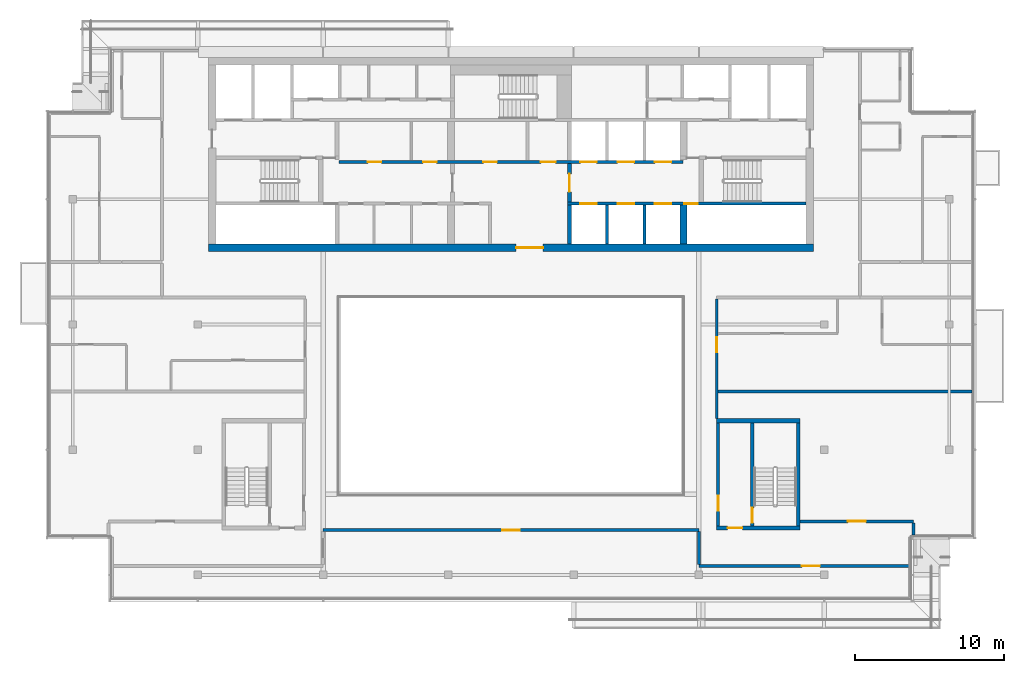
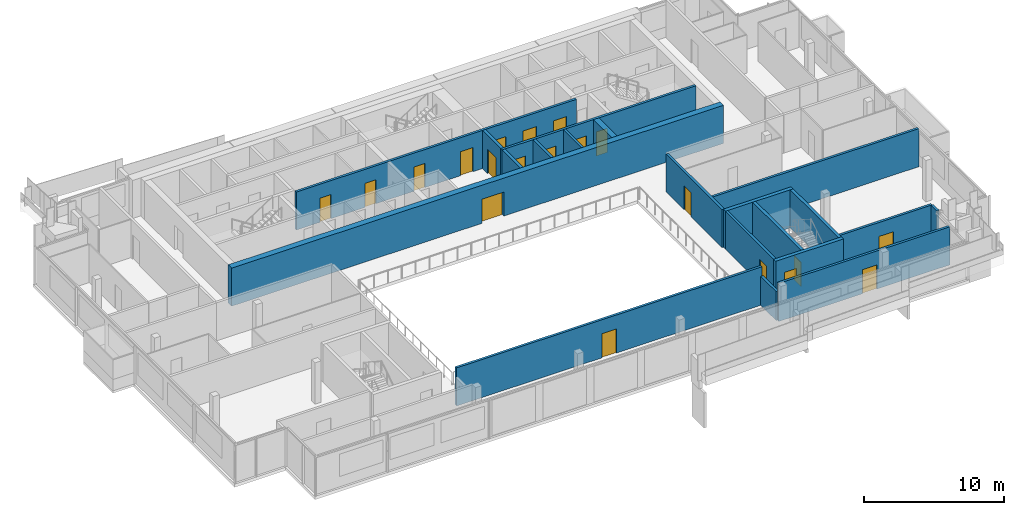
# One storey, part 12 of 21: 20 doors, 20 walls, 20 openings.
"""IFC4 building model written with IfcOpenShell, lengths in metres."""

from ifc_helpers import new_model, si_unit, direction, frame, frame_2d, origin, place, context, subcontext, project, spatial, rectangle, extrude, material, layer, layer_set, type_object, element, fill, save


model = new_model("IFC4")

# Units and contexts
model_context = context("Model", 3, precision=1e-05, world=origin(), true_north=direction((0.0, 1.0)))
body_context = subcontext(model_context, "Body", "Model", "MODEL_VIEW")
ifc_project = project(units=[si_unit("LENGTHUNIT", "METRE"), si_unit("AREAUNIT", "SQUARE_METRE"), si_unit("VOLUMEUNIT", "CUBIC_METRE"), si_unit("PLANEANGLEUNIT", "RADIAN"), si_unit("MASSUNIT", "GRAM", prefix="KILO")], contexts=[model_context])

# Site, building, storey
site_placement = place(None, origin())
site = spatial("IfcSite", under=ifc_project, at=site_placement, CompositionType="ELEMENT")
building_placement = place(site_placement, origin())
building = spatial("IfcBuilding", under=site, at=building_placement, Name="Saffron Gate Tower", CompositionType="ELEMENT")
storey_placement = place(building_placement, frame((0.0, 0.0, 288.75)))
storey = spatial("IfcBuildingStorey", under=building, at=storey_placement, Name="L70", CompositionType="ELEMENT", Elevation=288.75)

# Wall, opening, door
ifc_material_1 = material(Name="Gypsum board partition on steel studs", Category="steel")
ifc_layer_1 = layer(ifc_material_1, 0.199951171875)
ifc_layer_set_1 = layer_set([ifc_layer_1], Name="CW10 Core partition 200")
wall_type_1 = type_object("IfcWallType", Name="CW10 Core partition 200", PredefinedType="PARTITIONING", material=ifc_layer_set_1)
wall_1_placement = place(storey_placement, frame((101.5, 43.5, 0.0), z_axis=(0.0, 0.0, 1.0), x_axis=(0.0, 1.0, 0.0)))
wall_1 = element("IfcWall", 1, at=wall_1_placement, inside=storey, type_object=wall_type_1, Name="Wall CW10-L70-E-2", PredefinedType="PARTITIONING", context=body_context, shape_type="SweptSolid", body=[
    extrude(rectangle(XDim=6.89990234375, YDim=0.199951171875, at=frame_2d((3.449951171875, 0.0))), origin(), (0.0, 0.0, 1.0), 3.320068359375),
])
opening_1_placement = place(wall_1_placement, frame((1.0, 0.0, 0.0)))
opening_1 = element("IfcOpeningElement", 2, at=opening_1_placement, cuts=wall_1, Name="Opening CR-22", PredefinedType="OPENING", context=body_context, shape_type="SweptSolid", body=[
    extrude(rectangle(XDim=1.0, YDim=2.10009765625, at=frame_2d((0.5, 1.050048828125))), frame((0.0, 0.10986328125, 0.0), z_axis=(0.0, -1.0, 0.0), x_axis=(1.0, 0.0, 0.0)), (0.0, 0.0, 1.0), 0.219970703125),
])
ifc_material_2 = material(Name="Steel fire door set", Category="steel")
door_type_1 = type_object("IfcDoorType", Name="CD4 Lobby door 1000x2100 EI 120", OperationType="NOTDEFINED", PredefinedType="DOOR", material=ifc_material_2)
door_1_placement = place(opening_1_placement, origin())
door_1 = element("IfcDoor", 3, at=door_1_placement, inside=storey, type_object=door_type_1, Name="DOOR CR-22", OperationType="SINGLE_SWING_LEFT", OverallHeight=2.10009765625, OverallWidth=1.0, PredefinedType="DOOR", context=body_context, shape_type="SweptSolid", body=[
    extrude(rectangle(XDim=1.0, YDim=2.10009765625, at=frame_2d((0.5, 1.050048828125))), frame((0.0, 0.02490234375, 0.0), z_axis=(0.0, -1.0, 0.0), x_axis=(1.0, 0.0, 0.0)), (0.0, 0.0, 1.0), 0.050048828125),
])
fill(opening_1, door_1)

ifc_material_3 = material(Name="Concrete C50", Category="concrete")
ifc_layer_2 = layer(ifc_material_3, 0.5)
ifc_layer_set_2 = layer_set([ifc_layer_2], Name="CW22 RC core wall 500 C50")
wall_type_2 = type_object("IfcWallType", Name="CW22 RC core wall 500 C50", PredefinedType="SOLIDWALL", material=ifc_layer_set_2)
wall_2_placement = place(storey_placement, frame((67.300048828125, 62.14990234375, 0.0), z_axis=(0.0, 0.0, 1.0), x_axis=(1.0, 0.0, 0.0)))
wall_2 = element("IfcWall", 4, at=wall_2_placement, inside=storey, type_object=wall_type_2, Name="Wall CW22-L70-1", PredefinedType="SOLIDWALL", context=body_context, shape_type="SweptSolid", body=[
    extrude(rectangle(XDim=40.599853515625, YDim=0.5, at=frame_2d((20.2998046875, 0.0))), origin(), (0.0, 0.0, 1.0), 3.320068359375),
])
opening_2_placement = place(wall_2_placement, frame((20.64990234375, 0.0, 0.0)))
opening_2 = element("IfcOpeningElement", 5, at=opening_2_placement, cuts=wall_2, Name="Opening CR-09", PredefinedType="OPENING", context=body_context, shape_type="SweptSolid", body=[
    extrude(rectangle(XDim=1.800048828125, YDim=2.10009765625, at=frame_2d((0.89990234375, 1.050048828125))), frame((0.0, 0.260009765625, 0.0), z_axis=(0.0, -1.0, 0.0), x_axis=(1.0, 0.0, 0.0)), (0.0, 0.0, 1.0), 0.52001953125),
])
door_type_2 = type_object("IfcDoorType", Name="CD1 Core entrance door 1800x2100 EI 120", OperationType="NOTDEFINED", PredefinedType="DOOR", material=ifc_material_2)
door_2_placement = place(opening_2_placement, origin())
door_2 = element("IfcDoor", 6, at=door_2_placement, inside=storey, type_object=door_type_2, Name="DOOR CR-09", OperationType="DOUBLE_DOOR_SINGLE_SWING", OverallHeight=2.10009765625, OverallWidth=1.800048828125, PredefinedType="DOOR", context=body_context, shape_type="SweptSolid", body=[
    extrude(rectangle(XDim=1.800048828125, YDim=2.10009765625, at=frame_2d((0.89990234375, 1.050048828125))), frame((0.0, 0.02490234375, 0.0), z_axis=(0.0, -1.0, 0.0), x_axis=(1.0, 0.0, 0.0)), (0.0, 0.0, 1.0), 0.050048828125),
])
fill(opening_2, door_2)

# Wall
ifc_layer_3 = layer(ifc_material_3, 0.25)
ifc_layer_set_3 = layer_set([ifc_layer_3], Name="CW23 RC core wall 250 C50")
wall_type_3 = type_object("IfcWallType", Name="CW23 RC core wall 250 C50", PredefinedType="SOLIDWALL", material=ifc_layer_set_3)
wall_3_placement = place(storey_placement, frame((91.52490234375, 62.39990234375, 0.0), z_axis=(0.0, 0.0, 1.0), x_axis=(0.0, 1.0, 0.0)))
element("IfcWall", 7, at=wall_3_placement, inside=storey, type_object=wall_type_3, Name="Wall CW23-L70-10", PredefinedType="SOLIDWALL", context=body_context, shape_type="SweptSolid", body=[
    extrude(rectangle(XDim=2.60009765625, YDim=0.25, at=frame_2d((1.300048828125, 0.0))), origin(), (0.0, 0.0, 1.0), 3.320068359375),
])

# Wall, opening, door
wall_4_placement = place(storey_placement, frame((91.52490234375, 65.199951171875, 0.0), z_axis=(0.0, 0.0, 1.0), x_axis=(0.0, 1.0, 0.0)))
wall_4 = element("IfcWall", 8, at=wall_4_placement, inside=storey, type_object=wall_type_3, Name="Wall CW23-L70-18", PredefinedType="SOLIDWALL", context=body_context, shape_type="SweptSolid", body=[
    extrude(rectangle(XDim=2.60009765625, YDim=0.25, at=frame_2d((1.300048828125, 0.0))), origin(), (0.0, 0.0, 1.0), 3.320068359375),
])
opening_3_placement = place(wall_4_placement, frame((0.699951171875, 0.0, 0.0)))
opening_3 = element("IfcOpeningElement", 9, at=opening_3_placement, cuts=wall_4, Name="Opening CR-01", PredefinedType="OPENING", context=body_context, shape_type="SweptSolid", body=[
    extrude(rectangle(XDim=1.199951171875, YDim=2.10009765625, at=frame_2d((0.60009765625, 1.050048828125))), frame((0.0, 0.135009765625, 0.0), z_axis=(0.0, -1.0, 0.0), x_axis=(1.0, 0.0, 0.0)), (0.0, 0.0, 1.0), 0.27001953125),
])
door_type_3 = type_object("IfcDoorType", Name="CD3 Lobby door 1200x2100 EI 120", OperationType="NOTDEFINED", PredefinedType="DOOR", material=ifc_material_2)
door_3_placement = place(opening_3_placement, origin())
door_3 = element("IfcDoor", 10, at=door_3_placement, inside=storey, type_object=door_type_3, Name="DOOR CR-01", OperationType="SINGLE_SWING_RIGHT", OverallHeight=2.10009765625, OverallWidth=1.199951171875, PredefinedType="DOOR", context=body_context, shape_type="SweptSolid", body=[
    extrude(rectangle(XDim=1.199951171875, YDim=2.10009765625, at=frame_2d((0.60009765625, 1.050048828125))), frame((0.0, 0.02490234375, 0.0), z_axis=(0.0, -1.0, 0.0), x_axis=(1.0, 0.0, 0.0)), (0.0, 0.0, 1.0), 0.050048828125),
])
fill(opening_3, door_3)

wall_5_placement = place(storey_placement, frame((103.77490234375, 43.5, 0.0), z_axis=(0.0, 0.0, 1.0), x_axis=(0.0, 1.0, 0.0)))
wall_5 = element("IfcWall", 11, at=wall_5_placement, inside=storey, type_object=wall_type_3, Name="Wall CW23-L70-E-3", PredefinedType="SOLIDWALL", context=body_context, shape_type="SweptSolid", body=[
    extrude(rectangle(XDim=6.89990234375, YDim=0.25, at=frame_2d((3.449951171875, 0.0))), origin(), (0.0, 0.0, 1.0), 3.320068359375),
])
opening_4_placement = place(wall_5_placement, frame((0.199951171875, 0.0, 0.0)))
opening_4 = element("IfcOpeningElement", 12, at=opening_4_placement, cuts=wall_5, Name="Opening CR-23", PredefinedType="OPENING", context=body_context, shape_type="SweptSolid", body=[
    extrude(rectangle(XDim=1.0, YDim=2.10009765625, at=frame_2d((0.5, 1.050048828125))), frame((0.0, 0.135009765625, 0.0), z_axis=(0.0, -1.0, 0.0), x_axis=(1.0, 0.0, 0.0)), (0.0, 0.0, 1.0), 0.27001953125),
])
door_type_4 = type_object("IfcDoorType", Name="CD5 Stair door 1000x2100 EI 120", OperationType="NOTDEFINED", PredefinedType="DOOR", material=ifc_material_2)
door_4_placement = place(opening_4_placement, origin())
door_4 = element("IfcDoor", 13, at=door_4_placement, inside=storey, type_object=door_type_4, Name="DOOR CR-23", OperationType="SINGLE_SWING_RIGHT", OverallHeight=2.10009765625, OverallWidth=1.0, PredefinedType="DOOR", context=body_context, shape_type="SweptSolid", body=[
    extrude(rectangle(XDim=1.0, YDim=2.10009765625, at=frame_2d((0.5, 1.050048828125))), frame((0.0, 0.02490234375, 0.0), z_axis=(0.0, -1.0, 0.0), x_axis=(1.0, 0.0, 0.0)), (0.0, 0.0, 1.0), 0.050048828125),
])
fill(opening_4, door_4)

# Walls
wall_6_placement = place(storey_placement, frame((106.875, 43.5, 0.0), z_axis=(0.0, 0.0, 1.0), x_axis=(0.0, 1.0, 0.0)))
element("IfcWall", 14, at=wall_6_placement, inside=storey, type_object=wall_type_3, Name="Wall CW23-L70-E-4", PredefinedType="SOLIDWALL", context=body_context, shape_type="SweptSolid", body=[
    extrude(rectangle(XDim=6.89990234375, YDim=0.25, at=frame_2d((3.449951171875, 0.0))), origin(), (0.0, 0.0, 1.0), 3.320068359375),
])
ifc_layer_4 = layer(ifc_material_3, 0.449951171875)
ifc_layer_set_4 = layer_set([ifc_layer_4], Name="CW24 RC core wall 450 C50")
wall_type_4 = type_object("IfcWallType", Name="CW24 RC core wall 450 C50", PredefinedType="SOLIDWALL", material=ifc_layer_set_4)
wall_7_placement = place(storey_placement, frame((99.175048828125, 62.39990234375, 0.0), z_axis=(0.0, 0.0, 1.0), x_axis=(0.0, 1.0, 0.0)))
element("IfcWall", 15, at=wall_7_placement, inside=storey, type_object=wall_type_4, Name="Wall CW24-L70-13", PredefinedType="SOLIDWALL", context=body_context, shape_type="SweptSolid", body=[
    extrude(rectangle(XDim=2.60009765625, YDim=0.449951171875, at=frame_2d((1.300048828125, 0.0))), origin(), (0.0, 0.0, 1.0), 3.320068359375),
])
ifc_layer_5 = layer(ifc_material_3, 0.199951171875)
ifc_layer_set_5 = layer_set([ifc_layer_5], Name="CW25 RC core wall 200 C50")
wall_type_5 = type_object("IfcWallType", Name="CW25 RC core wall 200 C50", PredefinedType="SOLIDWALL", material=ifc_layer_set_5)
for number, where, z_axis, x_axis, name in (
    (16, (94.050048828125, 62.39990234375, 0.0), (0.0, 0.0, 1.0), (0.0, 1.0, 0.0), "Wall CW25-L70-11"),
    (17, (96.550048828125, 62.39990234375, 0.0), (0.0, 0.0, 1.0), (0.0, 1.0, 0.0), "Wall CW25-L70-12"),
):
    element("IfcWall", number, at=place(storey_placement, frame(where, z_axis=z_axis, x_axis=x_axis)), inside=storey, type_object=wall_type_5, Name=name, PredefinedType="SOLIDWALL", context=body_context, shape_type="SweptSolid", body=[
        extrude(rectangle(XDim=2.60009765625, YDim=0.199951171875, at=frame_2d((1.300048828125, 0.0))), origin(), (0.0, 0.0, 1.0), 3.320068359375),
    ])

# Wall, openings, doors
wall_8_placement = place(storey_placement, frame((91.39990234375, 65.10009765625, 0.0), z_axis=(0.0, 0.0, 1.0), x_axis=(1.0, 0.0, 0.0)))
wall_8 = element("IfcWall", 18, at=wall_8_placement, inside=storey, type_object=wall_type_5, Name="Wall CW25-L70-15", PredefinedType="SOLIDWALL", context=body_context, shape_type="SweptSolid", body=[
    extrude(rectangle(XDim=16.0, YDim=0.199951171875, at=frame_2d((8.0, 0.0))), origin(), (0.0, 0.0, 1.0), 3.320068359375),
])
opening_5_placement = place(wall_8_placement, frame((0.85009765625, 0.0, 0.0)))
opening_5 = element("IfcOpeningElement", 19, at=opening_5_placement, cuts=wall_8, Name="Opening LD-HR1", PredefinedType="OPENING", context=body_context, shape_type="SweptSolid", body=[
    extrude(rectangle(XDim=1.10009765625, YDim=2.10009765625, at=frame_2d((0.550048828125, 1.050048828125))), frame((0.0, 0.10986328125, 0.0), z_axis=(0.0, -1.0, 0.0), x_axis=(1.0, 0.0, 0.0)), (0.0, 0.0, 1.0), 0.219970703125),
])
opening_6_placement = place(wall_8_placement, frame((3.35009765625, 0.0, 0.0)))
opening_6 = element("IfcOpeningElement", 20, at=opening_6_placement, cuts=wall_8, Name="Opening LD-HR2", PredefinedType="OPENING", context=body_context, shape_type="SweptSolid", body=[
    extrude(rectangle(XDim=1.10009765625, YDim=2.10009765625, at=frame_2d((0.550048828125, 1.050048828125))), frame((0.0, 0.10986328125, 0.0), z_axis=(0.0, -1.0, 0.0), x_axis=(1.0, 0.0, 0.0)), (0.0, 0.0, 1.0), 0.219970703125),
])
opening_7_placement = place(wall_8_placement, frame((5.85009765625, 0.0, 0.0)))
opening_7 = element("IfcOpeningElement", 21, at=opening_7_placement, cuts=wall_8, Name="Opening LD-HR3", PredefinedType="OPENING", context=body_context, shape_type="SweptSolid", body=[
    extrude(rectangle(XDim=1.10009765625, YDim=2.10009765625, at=frame_2d((0.550048828125, 1.050048828125))), frame((0.0, 0.10986328125, 0.0), z_axis=(0.0, -1.0, 0.0), x_axis=(1.0, 0.0, 0.0)), (0.0, 0.0, 1.0), 0.219970703125),
])
opening_8_placement = place(wall_8_placement, frame((7.830078125, 0.0, 0.0)))
opening_8 = element("IfcOpeningElement", 22, at=opening_8_placement, cuts=wall_8, Name="Opening CR-48", PredefinedType="OPENING", context=body_context, shape_type="SweptSolid", body=[
    extrude(rectangle(XDim=0.89990234375, YDim=2.10009765625, at=frame_2d((0.449951171875, 1.050048828125))), frame((0.0, 0.10986328125, 0.0), z_axis=(0.0, -1.0, 0.0), x_axis=(1.0, 0.0, 0.0)), (0.0, 0.0, 1.0), 0.219970703125),
])
door_type_5 = type_object("IfcDoorType", Name="CD2 Riser door 900x2100 EI 60", OperationType="NOTDEFINED", PredefinedType="DOOR", material=ifc_material_2)
door_5_placement = place(opening_8_placement, origin())
door_5 = element("IfcDoor", 23, at=door_5_placement, inside=storey, type_object=door_type_5, Name="DOOR CR-48", OperationType="SINGLE_SWING_RIGHT", OverallHeight=2.10009765625, OverallWidth=0.89990234375, PredefinedType="DOOR", context=body_context, shape_type="SweptSolid", body=[
    extrude(rectangle(XDim=0.89990234375, YDim=2.10009765625, at=frame_2d((0.449951171875, 1.050048828125))), frame((0.0, 0.02490234375, 0.0), z_axis=(0.0, -1.0, 0.0), x_axis=(1.0, 0.0, 0.0)), (0.0, 0.0, 1.0), 0.050048828125),
])
fill(opening_8, door_5)
ifc_material_4 = material(Name="Stainless steel landing door", Category="steel")
door_type_6 = type_object("IfcDoorType", Name="LD Lift landing door 1100x2100 EI 120", OperationType="SLIDING_TO_LEFT", PredefinedType="DOOR", material=ifc_material_4)
door_6_placement = place(opening_5_placement, origin())
door_6 = element("IfcDoor", 24, at=door_6_placement, inside=storey, type_object=door_type_6, Name="LANDING DOOR LD-HR1", OperationType="SLIDING_TO_LEFT", OverallHeight=2.10009765625, OverallWidth=1.10009765625, PredefinedType="DOOR", context=body_context, shape_type="SweptSolid", body=[
    extrude(rectangle(XDim=1.10009765625, YDim=2.10009765625, at=frame_2d((0.550048828125, 1.050048828125))), frame((0.0, 0.02490234375, 0.0), z_axis=(0.0, -1.0, 0.0), x_axis=(1.0, 0.0, 0.0)), (0.0, 0.0, 1.0), 0.050048828125),
])
fill(opening_5, door_6)
door_7_placement = place(opening_6_placement, origin())
door_7 = element("IfcDoor", 25, at=door_7_placement, inside=storey, type_object=door_type_6, Name="LANDING DOOR LD-HR2", OperationType="SLIDING_TO_LEFT", OverallHeight=2.10009765625, OverallWidth=1.10009765625, PredefinedType="DOOR", context=body_context, shape_type="SweptSolid", body=[
    extrude(rectangle(XDim=1.10009765625, YDim=2.10009765625, at=frame_2d((0.550048828125, 1.050048828125))), frame((0.0, 0.02490234375, 0.0), z_axis=(0.0, -1.0, 0.0), x_axis=(1.0, 0.0, 0.0)), (0.0, 0.0, 1.0), 0.050048828125),
])
fill(opening_6, door_7)
door_8_placement = place(opening_7_placement, origin())
door_8 = element("IfcDoor", 26, at=door_8_placement, inside=storey, type_object=door_type_6, Name="LANDING DOOR LD-HR3", OperationType="SLIDING_TO_LEFT", OverallHeight=2.10009765625, OverallWidth=1.10009765625, PredefinedType="DOOR", context=body_context, shape_type="SweptSolid", body=[
    extrude(rectangle(XDim=1.10009765625, YDim=2.10009765625, at=frame_2d((0.550048828125, 1.050048828125))), frame((0.0, 0.02490234375, 0.0), z_axis=(0.0, -1.0, 0.0), x_axis=(1.0, 0.0, 0.0)), (0.0, 0.0, 1.0), 0.050048828125),
])
fill(opening_7, door_8)

wall_9_placement = place(storey_placement, frame((76.050048828125, 67.89990234375, 0.0), z_axis=(0.0, 0.0, 1.0), x_axis=(1.0, 0.0, 0.0)))
wall_9 = element("IfcWall", 27, at=wall_9_placement, inside=storey, type_object=wall_type_5, Name="Wall CW25-L70-20", PredefinedType="SOLIDWALL", context=body_context, shape_type="SweptSolid", body=[
    extrude(rectangle(XDim=23.099853515625, YDim=0.199951171875, at=frame_2d((11.5498046875, 0.0))), origin(), (0.0, 0.0, 1.0), 3.320068359375),
])
opening_9_placement = place(wall_9_placement, frame((1.949951171875, 0.0, 0.0)))
opening_9 = element("IfcOpeningElement", 28, at=opening_9_placement, cuts=wall_9, Name="Opening CR-61", PredefinedType="OPENING", context=body_context, shape_type="SweptSolid", body=[
    extrude(rectangle(XDim=0.89990234375, YDim=2.10009765625, at=frame_2d((0.449951171875, 1.050048828125))), frame((0.0, 0.10986328125, 0.0), z_axis=(0.0, -1.0, 0.0), x_axis=(1.0, 0.0, 0.0)), (0.0, 0.0, 1.0), 0.219970703125),
])
opening_10_placement = place(wall_9_placement, frame((5.659912109375, 0.0, 0.0)))
opening_10 = element("IfcOpeningElement", 29, at=opening_10_placement, cuts=wall_9, Name="Opening CR-62", PredefinedType="OPENING", context=body_context, shape_type="SweptSolid", body=[
    extrude(rectangle(XDim=0.89990234375, YDim=2.10009765625, at=frame_2d((0.449951171875, 1.050048828125))), frame((0.0, 0.10986328125, 0.0), z_axis=(0.0, -1.0, 0.0), x_axis=(1.0, 0.0, 0.0)), (0.0, 0.0, 1.0), 0.219970703125),
])
opening_11_placement = place(wall_9_placement, frame((9.699951171875, 0.0, 0.0)))
opening_11 = element("IfcOpeningElement", 30, at=opening_11_placement, cuts=wall_9, Name="Opening CR-67", PredefinedType="OPENING", context=body_context, shape_type="SweptSolid", body=[
    extrude(rectangle(XDim=0.89990234375, YDim=2.10009765625, at=frame_2d((0.449951171875, 1.050048828125))), frame((0.0, 0.10986328125, 0.0), z_axis=(0.0, -1.0, 0.0), x_axis=(1.0, 0.0, 0.0)), (0.0, 0.0, 1.0), 0.219970703125),
])
opening_12_placement = place(wall_9_placement, frame((13.550048828125, 0.0, 0.0)))
opening_12 = element("IfcOpeningElement", 31, at=opening_12_placement, cuts=wall_9, Name="Opening CR-02", PredefinedType="OPENING", context=body_context, shape_type="SweptSolid", body=[
    extrude(rectangle(XDim=1.0, YDim=2.10009765625, at=frame_2d((0.5, 1.050048828125))), frame((0.0, 0.10986328125, 0.0), z_axis=(0.0, -1.0, 0.0), x_axis=(1.0, 0.0, 0.0)), (0.0, 0.0, 1.0), 0.219970703125),
])
opening_13_placement = place(wall_9_placement, frame((16.199951171875, 0.0, 0.0)))
opening_13 = element("IfcOpeningElement", 32, at=opening_13_placement, cuts=wall_9, Name="Opening LD-HR4", PredefinedType="OPENING", context=body_context, shape_type="SweptSolid", body=[
    extrude(rectangle(XDim=1.10009765625, YDim=2.10009765625, at=frame_2d((0.550048828125, 1.050048828125))), frame((0.0, 0.10986328125, 0.0), z_axis=(0.0, -1.0, 0.0), x_axis=(1.0, 0.0, 0.0)), (0.0, 0.0, 1.0), 0.219970703125),
])
opening_14_placement = place(wall_9_placement, frame((18.699951171875, 0.0, 0.0)))
opening_14 = element("IfcOpeningElement", 33, at=opening_14_placement, cuts=wall_9, Name="Opening LD-HR5", PredefinedType="OPENING", context=body_context, shape_type="SweptSolid", body=[
    extrude(rectangle(XDim=1.10009765625, YDim=2.10009765625, at=frame_2d((0.550048828125, 1.050048828125))), frame((0.0, 0.10986328125, 0.0), z_axis=(0.0, -1.0, 0.0), x_axis=(1.0, 0.0, 0.0)), (0.0, 0.0, 1.0), 0.219970703125),
])
opening_15_placement = place(wall_9_placement, frame((21.199951171875, 0.0, 0.0)))
opening_15 = element("IfcOpeningElement", 34, at=opening_15_placement, cuts=wall_9, Name="Opening LD-HR6", PredefinedType="OPENING", context=body_context, shape_type="SweptSolid", body=[
    extrude(rectangle(XDim=1.10009765625, YDim=2.10009765625, at=frame_2d((0.550048828125, 1.050048828125))), frame((0.0, 0.10986328125, 0.0), z_axis=(0.0, -1.0, 0.0), x_axis=(1.0, 0.0, 0.0)), (0.0, 0.0, 1.0), 0.219970703125),
])
door_9_placement = place(opening_12_placement, origin())
door_9 = element("IfcDoor", 35, at=door_9_placement, inside=storey, type_object=door_type_1, Name="DOOR CR-02", OperationType="SINGLE_SWING_LEFT", OverallHeight=2.10009765625, OverallWidth=1.0, PredefinedType="DOOR", context=body_context, shape_type="SweptSolid", body=[
    extrude(rectangle(XDim=1.0, YDim=2.10009765625, at=frame_2d((0.5, 1.050048828125))), frame((0.0, 0.02490234375, 0.0), z_axis=(0.0, -1.0, 0.0), x_axis=(1.0, 0.0, 0.0)), (0.0, 0.0, 1.0), 0.050048828125),
])
fill(opening_12, door_9)
door_type_7 = type_object("IfcDoorType", Name="CD9 Room door 900x2100 EI 60", OperationType="NOTDEFINED", PredefinedType="DOOR", material=ifc_material_2)
door_10_placement = place(opening_9_placement, origin())
door_10 = element("IfcDoor", 36, at=door_10_placement, inside=storey, type_object=door_type_7, Name="DOOR CR-61", OperationType="SINGLE_SWING_LEFT", OverallHeight=2.10009765625, OverallWidth=0.89990234375, PredefinedType="DOOR", context=body_context, shape_type="SweptSolid", body=[
    extrude(rectangle(XDim=0.89990234375, YDim=2.10009765625, at=frame_2d((0.449951171875, 1.050048828125))), frame((0.0, 0.02490234375, 0.0), z_axis=(0.0, -1.0, 0.0), x_axis=(1.0, 0.0, 0.0)), (0.0, 0.0, 1.0), 0.050048828125),
])
fill(opening_9, door_10)
door_11_placement = place(opening_10_placement, origin())
door_11 = element("IfcDoor", 37, at=door_11_placement, inside=storey, type_object=door_type_7, Name="DOOR CR-62", OperationType="SINGLE_SWING_LEFT", OverallHeight=2.10009765625, OverallWidth=0.89990234375, PredefinedType="DOOR", context=body_context, shape_type="SweptSolid", body=[
    extrude(rectangle(XDim=0.89990234375, YDim=2.10009765625, at=frame_2d((0.449951171875, 1.050048828125))), frame((0.0, 0.02490234375, 0.0), z_axis=(0.0, -1.0, 0.0), x_axis=(1.0, 0.0, 0.0)), (0.0, 0.0, 1.0), 0.050048828125),
])
fill(opening_10, door_11)
door_12_placement = place(opening_11_placement, origin())
door_12 = element("IfcDoor", 38, at=door_12_placement, inside=storey, type_object=door_type_7, Name="DOOR CR-67", OperationType="SINGLE_SWING_LEFT", OverallHeight=2.10009765625, OverallWidth=0.89990234375, PredefinedType="DOOR", context=body_context, shape_type="SweptSolid", body=[
    extrude(rectangle(XDim=0.89990234375, YDim=2.10009765625, at=frame_2d((0.449951171875, 1.050048828125))), frame((0.0, 0.02490234375, 0.0), z_axis=(0.0, -1.0, 0.0), x_axis=(1.0, 0.0, 0.0)), (0.0, 0.0, 1.0), 0.050048828125),
])
fill(opening_11, door_12)
door_13_placement = place(opening_13_placement, origin())
door_13 = element("IfcDoor", 39, at=door_13_placement, inside=storey, type_object=door_type_6, Name="LANDING DOOR LD-HR4", OperationType="SLIDING_TO_RIGHT", OverallHeight=2.10009765625, OverallWidth=1.10009765625, PredefinedType="DOOR", context=body_context, shape_type="SweptSolid", body=[
    extrude(rectangle(XDim=1.10009765625, YDim=2.10009765625, at=frame_2d((0.550048828125, 1.050048828125))), frame((0.0, 0.02490234375, 0.0), z_axis=(0.0, -1.0, 0.0), x_axis=(1.0, 0.0, 0.0)), (0.0, 0.0, 1.0), 0.050048828125),
])
fill(opening_13, door_13)
door_14_placement = place(opening_14_placement, origin())
door_14 = element("IfcDoor", 40, at=door_14_placement, inside=storey, type_object=door_type_6, Name="LANDING DOOR LD-HR5", OperationType="SLIDING_TO_RIGHT", OverallHeight=2.10009765625, OverallWidth=1.10009765625, PredefinedType="DOOR", context=body_context, shape_type="SweptSolid", body=[
    extrude(rectangle(XDim=1.10009765625, YDim=2.10009765625, at=frame_2d((0.550048828125, 1.050048828125))), frame((0.0, 0.02490234375, 0.0), z_axis=(0.0, -1.0, 0.0), x_axis=(1.0, 0.0, 0.0)), (0.0, 0.0, 1.0), 0.050048828125),
])
fill(opening_14, door_14)
door_15_placement = place(opening_15_placement, origin())
door_15 = element("IfcDoor", 41, at=door_15_placement, inside=storey, type_object=door_type_6, Name="LANDING DOOR LD-HR6", OperationType="SLIDING_TO_RIGHT", OverallHeight=2.10009765625, OverallWidth=1.10009765625, PredefinedType="DOOR", context=body_context, shape_type="SweptSolid", body=[
    extrude(rectangle(XDim=1.10009765625, YDim=2.10009765625, at=frame_2d((0.550048828125, 1.050048828125))), frame((0.0, 0.02490234375, 0.0), z_axis=(0.0, -1.0, 0.0), x_axis=(1.0, 0.0, 0.0)), (0.0, 0.0, 1.0), 0.050048828125),
])
fill(opening_15, door_15)

# Wall, opening, door
ifc_layer_6 = layer(ifc_material_3, 0.300048828125)
ifc_layer_set_6 = layer_set([ifc_layer_6], Name="CW26 RC core wall 300 C50")
wall_type_6 = type_object("IfcWallType", Name="CW26 RC core wall 300 C50", PredefinedType="SOLIDWALL", material=ifc_layer_set_6)
wall_10_placement = place(storey_placement, frame((101.39990234375, 43.35009765625, 0.0), z_axis=(0.0, 0.0, 1.0), x_axis=(1.0, 0.0, 0.0)))
wall_10 = element("IfcWall", 42, at=wall_10_placement, inside=storey, type_object=wall_type_6, Name="Wall CW26-L70-E-1", PredefinedType="SOLIDWALL", context=body_context, shape_type="SweptSolid", body=[
    extrude(rectangle(XDim=5.60009765625, YDim=0.300048828125, at=frame_2d((2.800048828125, 0.0))), origin(), (0.0, 0.0, 1.0), 3.320068359375),
])
opening_16_placement = place(wall_10_placement, frame((0.72509765625, 0.0, 0.0)))
opening_16 = element("IfcOpeningElement", 43, at=opening_16_placement, cuts=wall_10, Name="Opening CR-21", PredefinedType="OPENING", context=body_context, shape_type="SweptSolid", body=[
    extrude(rectangle(XDim=1.0, YDim=2.10009765625, at=frame_2d((0.5, 1.050048828125))), frame((0.0, 0.16015625, 0.0), z_axis=(0.0, -1.0, 0.0), x_axis=(1.0, 0.0, 0.0)), (0.0, 0.0, 1.0), 0.320068359375),
])
door_16_placement = place(opening_16_placement, origin())
door_16 = element("IfcDoor", 44, at=door_16_placement, inside=storey, type_object=door_type_1, Name="DOOR CR-21", OperationType="SINGLE_SWING_RIGHT", OverallHeight=2.10009765625, OverallWidth=1.0, PredefinedType="DOOR", context=body_context, shape_type="SweptSolid", body=[
    extrude(rectangle(XDim=1.0, YDim=2.10009765625, at=frame_2d((0.5, 1.050048828125))), frame((0.0, 0.02490234375, 0.0), z_axis=(0.0, -1.0, 0.0), x_axis=(1.0, 0.0, 0.0)), (0.0, 0.0, 1.0), 0.050048828125),
])
fill(opening_16, door_16)

# Wall
wall_11_placement = place(storey_placement, frame((101.39990234375, 50.550048828125, 0.0), z_axis=(0.0, 0.0, 1.0), x_axis=(1.0, 0.0, 0.0)))
element("IfcWall", 45, at=wall_11_placement, inside=storey, type_object=wall_type_6, Name="Wall CW26-L70-E-5", PredefinedType="SOLIDWALL", context=body_context, shape_type="SweptSolid", body=[
    extrude(rectangle(XDim=5.60009765625, YDim=0.300048828125, at=frame_2d((2.800048828125, 0.0))), origin(), (0.0, 0.0, 1.0), 3.320068359375),
])

# Wall, opening, door
ifc_material_5 = material(Name="Clay brick masonry, rendered", Category="masonry")
ifc_layer_7 = layer(ifc_material_5, 0.199951171875)
ifc_layer_set_7 = layer_set([ifc_layer_7], Name="PW3 Corridor wall 200")
wall_type_7 = type_object("IfcWallType", Name="PW3 Corridor wall 200", PredefinedType="PARTITIONING", material=ifc_layer_set_7)
wall_12_placement = place(storey_placement, frame((114.320068359375, 40.800048828125, 0.0), z_axis=(0.0, 0.0, 1.0), x_axis=(-1.0, 0.0, 0.0)))
wall_12 = element("IfcWall", 46, at=wall_12_placement, inside=storey, type_object=wall_type_7, Name="Wall E5-2", PredefinedType="PARTITIONING", context=body_context, shape_type="SweptSolid", body=[
    extrude(rectangle(XDim=14.1201171875, YDim=0.199951171875, at=frame_2d((7.06005859375, 0.0))), origin(), (0.0, 0.0, 1.0), 3.320068359375),
])
opening_17_placement = place(wall_12_placement, frame((6.010009765625, 0.0, 0.0)))
opening_17 = element("IfcOpeningElement", 47, at=opening_17_placement, cuts=wall_12, Name="Opening E5-16", PredefinedType="OPENING", context=body_context, shape_type="SweptSolid", body=[
    extrude(rectangle(XDim=1.199951171875, YDim=2.10009765625, at=frame_2d((0.60009765625, 1.050048828125))), frame((0.0, 0.10986328125, 0.0), z_axis=(0.0, -1.0, 0.0), x_axis=(1.0, 0.0, 0.0)), (0.0, 0.0, 1.0), 0.219970703125),
])
ifc_material_6 = material(Name="Timber door set", Category="wood")
door_type_8 = type_object("IfcDoorType", Name="HD1 Hall door 1200x2100", OperationType="NOTDEFINED", PredefinedType="DOOR", material=ifc_material_6)
door_17_placement = place(opening_17_placement, origin())
door_17 = element("IfcDoor", 48, at=door_17_placement, inside=storey, type_object=door_type_8, Name="Door E5-16", OperationType="SINGLE_SWING_RIGHT", OverallHeight=2.10009765625, OverallWidth=1.199951171875, PredefinedType="DOOR", context=body_context, shape_type="SweptSolid", body=[
    extrude(rectangle(XDim=1.199951171875, YDim=2.10009765625, at=frame_2d((0.60009765625, 1.050048828125))), frame((0.0, 0.02490234375, 0.0), z_axis=(0.0, -1.0, 0.0), x_axis=(1.0, 0.0, 0.0)), (0.0, 0.0, 1.0), 0.050048828125),
])
fill(opening_17, door_17)

wall_13_placement = place(storey_placement, frame((100.199951171875, 43.199951171875, 0.0), z_axis=(0.0, 0.0, 1.0), x_axis=(-1.0, 0.0, 0.0)))
wall_13 = element("IfcWall", 49, at=wall_13_placement, inside=storey, type_object=wall_type_7, Name="Wall E5-3", PredefinedType="PARTITIONING", context=body_context, shape_type="SweptSolid", body=[
    extrude(rectangle(XDim=25.199951171875, YDim=0.199951171875, at=frame_2d((12.60009765625, 0.0))), origin(), (0.0, 0.0, 1.0), 3.320068359375),
])
opening_18_placement = place(wall_13_placement, frame((12.0, 0.0, 0.0)))
opening_18 = element("IfcOpeningElement", 50, at=opening_18_placement, cuts=wall_13, Name="Opening E5-14", PredefinedType="OPENING", context=body_context, shape_type="SweptSolid", body=[
    extrude(rectangle(XDim=1.199951171875, YDim=2.10009765625, at=frame_2d((0.60009765625, 1.050048828125))), frame((0.0, 0.10986328125, 0.0), z_axis=(0.0, -1.0, 0.0), x_axis=(1.0, 0.0, 0.0)), (0.0, 0.0, 1.0), 0.219970703125),
])
door_18_placement = place(opening_18_placement, origin())
door_18 = element("IfcDoor", 51, at=door_18_placement, inside=storey, type_object=door_type_8, Name="Door E5-14", OperationType="SINGLE_SWING_RIGHT", OverallHeight=2.10009765625, OverallWidth=1.199951171875, PredefinedType="DOOR", context=body_context, shape_type="SweptSolid", body=[
    extrude(rectangle(XDim=1.199951171875, YDim=2.10009765625, at=frame_2d((0.60009765625, 1.050048828125))), frame((0.0, 0.02490234375, 0.0), z_axis=(0.0, -1.0, 0.0), x_axis=(1.0, 0.0, 0.0)), (0.0, 0.0, 1.0), 0.050048828125),
])
fill(opening_18, door_18)

wall_14_placement = place(storey_placement, frame((107.0, 43.800048828125, 0.0), z_axis=(0.0, 0.0, 1.0), x_axis=(1.0, 0.0, 0.0)))
wall_14 = element("IfcWall", 52, at=wall_14_placement, inside=storey, type_object=wall_type_7, Name="Wall E5-5", PredefinedType="PARTITIONING", context=body_context, shape_type="SweptSolid", body=[
    extrude(rectangle(XDim=7.60009765625, YDim=0.199951171875, at=frame_2d((3.800048828125, 0.0))), origin(), (0.0, 0.0, 1.0), 3.320068359375),
])
opening_19_placement = place(wall_14_placement, frame((3.199951171875, 0.0, 0.0)))
opening_19 = element("IfcOpeningElement", 53, at=opening_19_placement, cuts=wall_14, Name="Opening E5-15", PredefinedType="OPENING", context=body_context, shape_type="SweptSolid", body=[
    extrude(rectangle(XDim=1.199951171875, YDim=2.10009765625, at=frame_2d((0.60009765625, 1.050048828125))), frame((0.0, 0.10986328125, 0.0), z_axis=(0.0, -1.0, 0.0), x_axis=(1.0, 0.0, 0.0)), (0.0, 0.0, 1.0), 0.219970703125),
])
door_19_placement = place(opening_19_placement, origin())
door_19 = element("IfcDoor", 54, at=door_19_placement, inside=storey, type_object=door_type_8, Name="Door E5-15", OperationType="SINGLE_SWING_LEFT", OverallHeight=2.10009765625, OverallWidth=1.199951171875, PredefinedType="DOOR", context=body_context, shape_type="SweptSolid", body=[
    extrude(rectangle(XDim=1.199951171875, YDim=2.10009765625, at=frame_2d((0.60009765625, 1.050048828125))), frame((0.0, 0.02490234375, 0.0), z_axis=(0.0, -1.0, 0.0), x_axis=(1.0, 0.0, 0.0)), (0.0, 0.0, 1.0), 0.050048828125),
])
fill(opening_19, door_19)

# Wall
wall_15_placement = place(storey_placement, frame((100.199951171875, 43.10009765625, 0.0), z_axis=(0.0, 0.0, 1.0), x_axis=(0.0, -1.0, 0.0)))
element("IfcWall", 55, at=wall_15_placement, inside=storey, type_object=wall_type_7, Name="Wall E5-38", PredefinedType="PARTITIONING", context=body_context, shape_type="SweptSolid", body=[
    extrude(rectangle(XDim=2.2001953125, YDim=0.199951171875, at=frame_2d((1.10009765625, 0.0))), origin(), (0.0, 0.0, 1.0), 2.530029296875),
])

# Wall, opening, door
wall_16_placement = place(storey_placement, frame((101.39990234375, 58.699951171875, 0.0), z_axis=(0.0, 0.0, 1.0), x_axis=(0.0, -1.0, 0.0)))
wall_16 = element("IfcWall", 56, at=wall_16_placement, inside=storey, type_object=wall_type_7, Name="Wall E5-39", PredefinedType="PARTITIONING", context=body_context, shape_type="SweptSolid", body=[
    extrude(rectangle(XDim=8.0, YDim=0.199951171875, at=frame_2d((4.0, 0.0))), origin(), (0.0, 0.0, 1.0), 3.320068359375),
])
opening_20_placement = place(wall_16_placement, frame((2.550048828125, 0.0, 0.0)))
opening_20 = element("IfcOpeningElement", 57, at=opening_20_placement, cuts=wall_16, Name="Opening E5-3", PredefinedType="OPENING", context=body_context, shape_type="SweptSolid", body=[
    extrude(rectangle(XDim=1.0, YDim=2.10009765625, at=frame_2d((0.5, 1.050048828125))), frame((0.0, 0.10986328125, 0.0), z_axis=(0.0, -1.0, 0.0), x_axis=(1.0, 0.0, 0.0)), (0.0, 0.0, 1.0), 0.219970703125),
])
ifc_material_7 = material(Name="Timber fire door set", Category="wood")
door_type_9 = type_object("IfcDoorType", Name="FD1 Flat entry door 1000x2100", OperationType="NOTDEFINED", PredefinedType="DOOR", material=ifc_material_7)
door_20_placement = place(opening_20_placement, origin())
door_20 = element("IfcDoor", 58, at=door_20_placement, inside=storey, type_object=door_type_9, Name="Door E5-3", OperationType="SINGLE_SWING_LEFT", OverallHeight=2.10009765625, OverallWidth=1.0, PredefinedType="DOOR", context=body_context, shape_type="SweptSolid", body=[
    extrude(rectangle(XDim=1.0, YDim=2.10009765625, at=frame_2d((0.5, 1.050048828125))), frame((0.0, 0.02490234375, 0.0), z_axis=(0.0, -1.0, 0.0), x_axis=(1.0, 0.0, 0.0)), (0.0, 0.0, 1.0), 0.050048828125),
])
fill(opening_20, door_20)

# Walls
wall_17_placement = place(storey_placement, frame((114.60009765625, 43.699951171875, 0.0), z_axis=(0.0, 0.0, 1.0), x_axis=(0.0, -1.0, 0.0)))
element("IfcWall", 59, at=wall_17_placement, inside=storey, type_object=wall_type_7, Name="Wall E5-46", PredefinedType="PARTITIONING", context=body_context, shape_type="SweptSolid", body=[
    extrude(rectangle(XDim=0.820068359375, YDim=0.199951171875, at=frame_2d((0.41015625, 0.0))), origin(), (0.0, 0.0, 1.0), 3.320068359375),
])
ifc_layer_8 = layer(ifc_material_5, 0.199951171875)
ifc_layer_set_8 = layer_set([ifc_layer_8], Name="PW5 Room wall 200")
wall_type_8 = type_object("IfcWallType", Name="PW5 Room wall 200", PredefinedType="PARTITIONING", material=ifc_layer_set_8)
wall_18_placement = place(storey_placement, frame((101.5, 52.5, 0.0), z_axis=(0.0, 0.0, 1.0), x_axis=(1.0, 0.0, 0.0)))
element("IfcWall", 60, at=wall_18_placement, inside=storey, type_object=wall_type_8, Name="Wall E5-7", PredefinedType="PARTITIONING", context=body_context, shape_type="SweptSolid", body=[
    extrude(rectangle(XDim=17.02001953125, YDim=0.199951171875, at=frame_2d((8.510009765625, 0.0))), origin(), (0.0, 0.0, 1.0), 3.320068359375),
])

save(model, "model.ifc")
